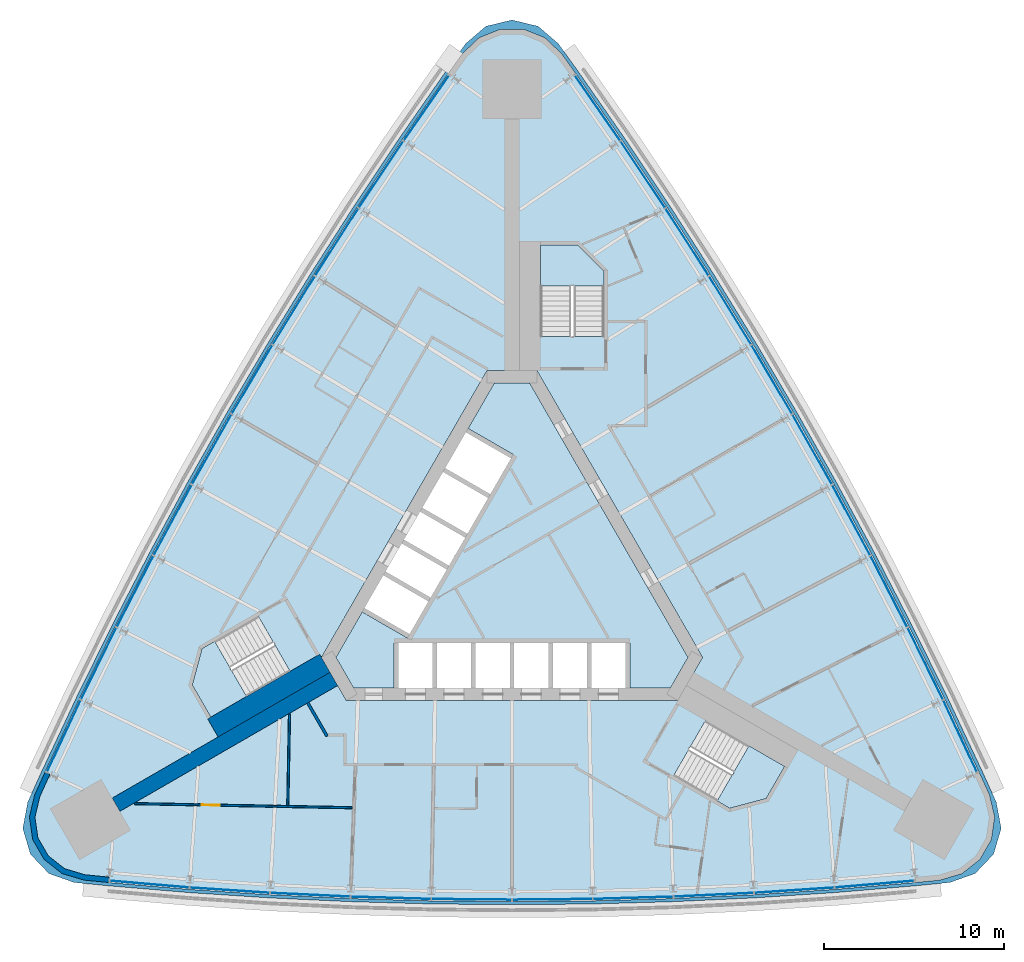
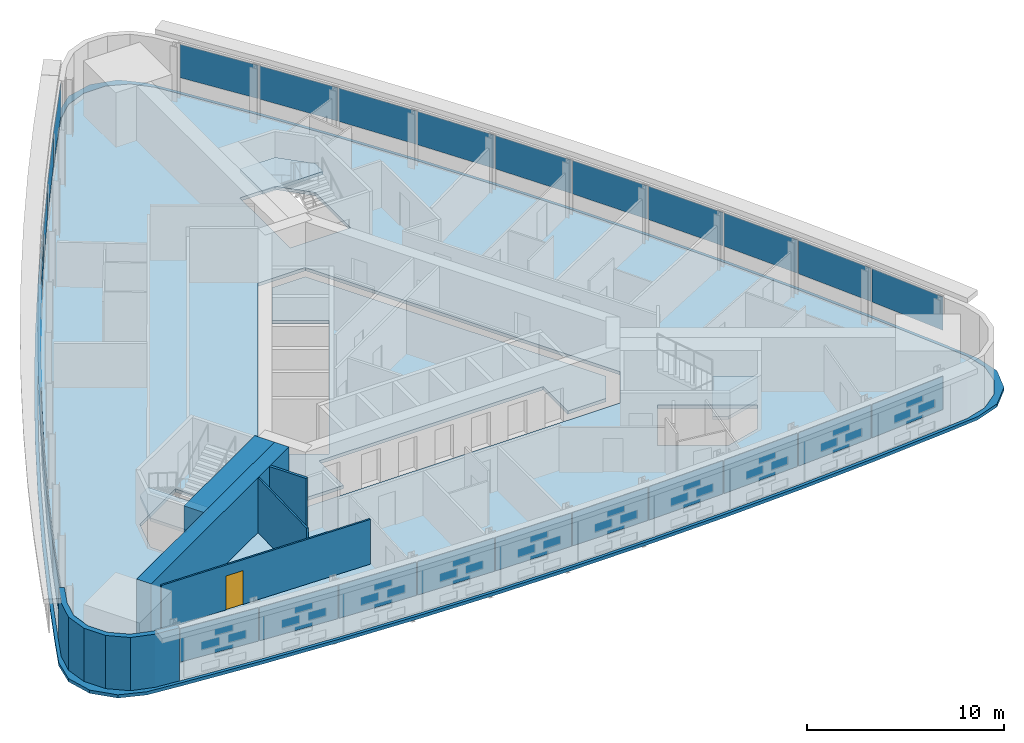
# One storey, part 9 of 15: 30 plates, 6 slabs, 6 walls, 1 door, 1 opening, 6 elements without a shape of their own.
"""IFC4 building model written with IfcOpenShell, lengths in metres."""

from ifc_helpers import new_model, si_unit, direction, frame, frame_2d, origin, origin_2d, place, context, subcontext, project, spatial, polyline, rectangle, outline, extrude, material, layer, layer_set, type_object, element, fill, aggregate, save


model = new_model("IFC4")

# Units and contexts
model_context = context("Model", 3, precision=1e-05, world=origin(), true_north=direction((0.0, 1.0)))
body_context = subcontext(model_context, "Body", "Model", "MODEL_VIEW")
ifc_project = project(units=[si_unit("LENGTHUNIT", "METRE"), si_unit("AREAUNIT", "SQUARE_METRE"), si_unit("VOLUMEUNIT", "CUBIC_METRE"), si_unit("PLANEANGLEUNIT", "RADIAN"), si_unit("MASSUNIT", "GRAM", prefix="KILO")], contexts=[model_context])

# Site, building, storey
site_placement = place(None, origin())
site = spatial("IfcSite", under=ifc_project, at=site_placement, CompositionType="ELEMENT")
building_placement = place(site_placement, origin())
building = spatial("IfcBuilding", under=site, at=building_placement, Name="Noor Cloister Tower", CompositionType="ELEMENT")
storey_placement = place(building_placement, frame((0.0, 0.0, 45.60009765625)))
storey = spatial("IfcBuildingStorey", under=building, at=storey_placement, Name="L11", CompositionType="ELEMENT", Elevation=45.60009765625)

# Slabs
ifc_material_1 = material(Name="Concrete C40/50", Category="concrete")
ifc_layer_1 = layer(ifc_material_1, 0.199951171875)
ifc_layer_set_1 = layer_set([ifc_layer_1], Name="Core floor slab 200 C40/50")
slab_type_1 = type_object("IfcSlabType", Name="Core floor slab 200 C40/50", PredefinedType="FLOOR", material=ifc_layer_set_1)
slab_1_placement = place(storey_placement, frame((0.0, 0.0, -0.2001953125)))
element("IfcSlab", 1, at=slab_1_placement, inside=storey, type_object=slab_type_1, Name="Core floor L11", PredefinedType="FLOOR", context=body_context, shape_type="SweptSolid", body=[
    extrude(outline(polyline([(-6.574951171875, -6.228271484375), (-6.574951171875, -3.728271484375), (6.574951171875, -3.728271484375), (6.574951171875, -6.228271484375), (8.82470703125, -6.228271484375), (9.80615234375, -4.5283203125), (0.9814453125, 10.75634765625), (-0.9814453125, 10.75634765625), (-2.44384765625, 8.2236328125), (0.067626953125, 6.773681640625), (-5.832275390625, -3.4453125), (-8.34375, -1.995361328125), (-9.80615234375, -4.5283203125), (-8.82470703125, -6.228271484375), (-6.574951171875, -6.228271484375)])), origin(), (0.0, 0.0, 1.0), 0.2001953125),
])
ifc_material_2 = material(Name="Concrete C40/50", Category="concrete")
ifc_layer_2 = layer(ifc_material_2, 0.199951171875)
ifc_layer_set_2 = layer_set([ifc_layer_2], Name="Floor slab 200 C40/50")
slab_type_2 = type_object("IfcSlabType", Name="Floor slab 200 C40/50", PredefinedType="FLOOR", material=ifc_layer_set_2)
slab_2_placement = place(storey_placement, frame((0.0, 0.0, -0.2001953125)))
element("IfcSlab", 2, at=slab_2_placement, inside=storey, type_object=slab_type_2, Name="Floor slab L11", PredefinedType="FLOOR", context=body_context, shape_type="SweptSolid", body=[
    extrude(outline(polyline([(2.743896484375, 29.1142578125), (1.819091796875, 29.98876953125), (0.636474609375, 30.45947265625), (-0.636474609375, 30.45947265625), (-1.819091796875, 29.98876953125), (-2.743896484375, 29.1142578125), (-3.548095703125, 27.990478515625), (-6.12109375, 24.298828125), (-8.6240234375, 20.55908203125), (-11.0556640625, 16.77294921875), (-13.415283203125, 12.941162109375), (-15.7021484375, 9.065673828125), (-17.9150390625, 5.1474609375), (-20.053466796875, 1.18798828125), (-22.11669921875, -2.81103515625), (-24.10400390625, -6.848388671875), (-26.014404296875, -10.922607421875), (-26.585693359375, -12.180908203125), (-26.880615234375, -13.419189453125), (-26.697021484375, -14.6787109375), (-26.060546875, -15.781005859375), (-25.0615234375, -16.56982421875), (-23.841796875, -16.933349609375), (-22.466552734375, -17.06787109375), (-17.98291015625, -17.450439453125), (-13.49267578125, -17.748291015625), (-8.997802734375, -17.9609375), (-4.499755859375, -18.088623046875), (0.0, -18.131103515625), (4.499755859375, -18.088623046875), (8.997802734375, -17.9609375), (13.49267578125, -17.748291015625), (17.98291015625, -17.450439453125), (22.466552734375, -17.06787109375), (23.841796875, -16.933349609375), (25.0615234375, -16.56982421875), (26.060546875, -15.781005859375), (26.697021484375, -14.6787109375), (26.880615234375, -13.419189453125), (26.585693359375, -12.180908203125), (26.014404296875, -10.922607421875), (24.10400390625, -6.848388671875), (22.11669921875, -2.81103515625), (20.053466796875, 1.18798828125), (17.9150390625, 5.1474609375), (15.7021484375, 9.065673828125), (13.415283203125, 12.941162109375), (11.0556640625, 16.77294921875), (8.6240234375, 20.55908203125), (6.12109375, 24.298828125), (3.548095703125, 27.990478515625), (2.743896484375, 29.1142578125)]), holes=[polyline([(8.999755859375, -11.126220703125), (12.131591796875, -12.934326171875), (14.1572265625, -12.3916015625), (15.19091796875, -10.601318359375), (10.774658203125, -8.0517578125), (8.999755859375, -11.126220703125)]), polyline([(-17.81005859375, -6.064697265625), (-16.776611328125, -7.85498046875), (-12.3603515625, -5.305419921875), (-14.13525390625, -2.23095703125), (-16.662841796875, -3.690185546875), (-17.267333984375, -4.039306640625), (-17.81005859375, -6.064697265625)]), polyline([(-10.6142578125, -4.5283203125), (-9.228759765625, -6.92822265625), (9.228759765625, -6.92822265625), (10.6142578125, -4.5283203125), (1.3857421875, 11.456298828125), (-1.3857421875, 11.456298828125), (-10.6142578125, -4.5283203125)]), polyline([(3.65283203125, 18.456298828125), (1.585693359375, 18.456298828125), (1.585693359375, 13.35693359375), (5.135498046875, 13.35693359375), (5.135498046875, 16.9736328125), (3.65283203125, 18.456298828125)])]), origin(), (0.0, 0.0, 1.0), 0.2001953125),
])

# Curtain wall, plates
ifc_material_3 = material(Name="Aluminium 6063-T6 anodised", Category="aluminium")
curtain_wall_type = type_object("IfcCurtainWallType", Name="Ribbon curtain wall, lower tower CW1", PredefinedType="NOTDEFINED", material=ifc_material_3)
curtain_wall_1_placement = place(storey_placement, origin())
curtain_wall_1 = element("IfcCurtainWall", 3, at=curtain_wall_1_placement, inside=storey, type_object=curtain_wall_type, Name="CW1 L11 NW run 1", PredefinedType="NOTDEFINED")
ifc_material_4 = material(Name="Clear laminated glass 2 x 8 mm", Category="glass")
ifc_layer_3 = layer(ifc_material_4, 0.028076171875)
ifc_layer_set_3 = layer_set([ifc_layer_3], Name="Glass panel CW1")
plate_type = type_object("IfcPlateType", Name="Glass panel CW1", PredefinedType="CURTAIN_PANEL", material=ifc_layer_set_3)
plate_1_placement = place(storey_placement, frame((-4.763671875, 26.071533203125, 1.08984375), z_axis=(0.0, 0.0, 1.0), x_axis=(-0.5718180864, -0.820380445931, 0.0)))
plate_1 = element("IfcPlate", 4, at=plate_1_placement, type_object=plate_type, Name="CW1 glass panel 1", PredefinedType="CURTAIN_PANEL", context=body_context, shape_type="SweptSolid", body=[
    extrude(rectangle(XDim=4.39892578125, YDim=0.028076171875, at=origin_2d()), origin(), (0.0, 0.0, 1.0), 2.070068359375),
])
plate_2_placement = place(storey_placement, frame((-7.28955078125, 22.373291015625, 1.08984375), z_axis=(0.0, 0.0, 1.0), x_axis=(-0.55619848233, -0.831049486044, 0.0)))
plate_2 = element("IfcPlate", 5, at=plate_2_placement, type_object=plate_type, Name="CW1 glass panel 2", PredefinedType="CURTAIN_PANEL", context=body_context, shape_type="SweptSolid", body=[
    extrude(rectangle(XDim=4.43798828125, YDim=0.028076171875, at=origin_2d()), origin(), (0.0, 0.0, 1.0), 2.070068359375),
])
plate_3_placement = place(storey_placement, frame((-9.755615234375, 18.612060546875, 1.08984375), z_axis=(0.0, 0.0, 1.0), x_axis=(-0.540379870194, -0.841421176278, 0.0)))
plate_3 = element("IfcPlate", 6, at=plate_3_placement, type_object=plate_type, Name="CW1 glass panel 3", PredefinedType="CURTAIN_PANEL", context=body_context, shape_type="SweptSolid", body=[
    extrude(rectangle(XDim=4.43798828125, YDim=0.028076171875, at=origin_2d()), origin(), (0.0, 0.0, 1.0), 2.070068359375),
])
plate_4_placement = place(storey_placement, frame((-12.150390625, 14.8046875, 1.08984375), z_axis=(0.0, 0.0, 1.0), x_axis=(-0.524367909897, -0.851491805639, 0.0)))
plate_4 = element("IfcPlate", 7, at=plate_4_placement, type_object=plate_type, Name="CW1 glass panel 4", PredefinedType="CURTAIN_PANEL", context=body_context, shape_type="SweptSolid", body=[
    extrude(rectangle(XDim=4.43798828125, YDim=0.028076171875, at=origin_2d()), origin(), (0.0, 0.0, 1.0), 2.070068359375),
])
plate_5_placement = place(storey_placement, frame((-14.47265625, 10.95263671875, 1.08984375), z_axis=(0.0, 0.0, 1.0), x_axis=(-0.508168330528, -0.86125777085, 0.0)))
plate_5 = element("IfcPlate", 8, at=plate_5_placement, type_object=plate_type, Name="CW1 glass panel 5", PredefinedType="CURTAIN_PANEL", context=body_context, shape_type="SweptSolid", body=[
    extrude(rectangle(XDim=4.43798828125, YDim=0.028076171875, at=origin_2d()), origin(), (0.0, 0.0, 1.0), 2.070068359375),
])
plate_6_placement = place(storey_placement, frame((-16.721435546875, 7.057373046875, 1.08984375), z_axis=(0.0, 0.0, 1.0), x_axis=(-0.491786943499, -0.87071556906, 0.0)))
plate_6 = element("IfcPlate", 9, at=plate_6_placement, type_object=plate_type, Name="CW1 glass panel 6", PredefinedType="CURTAIN_PANEL", context=body_context, shape_type="SweptSolid", body=[
    extrude(rectangle(XDim=4.43798828125, YDim=0.028076171875, at=origin_2d()), origin(), (0.0, 0.0, 1.0), 2.070068359375),
])
plate_7_placement = place(storey_placement, frame((-18.896240234375, 3.120361328125, 1.08984375), z_axis=(0.0, 0.0, 1.0), x_axis=(-0.475229579849, -0.87986183372, 0.0)))
plate_7 = element("IfcPlate", 10, at=plate_7_placement, type_object=plate_type, Name="CW1 glass panel 7", PredefinedType="CURTAIN_PANEL", context=body_context, shape_type="SweptSolid", body=[
    extrude(rectangle(XDim=4.43798828125, YDim=0.028076171875, at=origin_2d()), origin(), (0.0, 0.0, 1.0), 2.070068359375),
])
plate_8_placement = place(storey_placement, frame((-20.996337890625, -0.857177734375, 1.08984375), z_axis=(0.0, 0.0, 1.0), x_axis=(-0.458502178842, -0.888693283421, 0.0)))
plate_8 = element("IfcPlate", 11, at=plate_8_placement, type_object=plate_type, Name="CW1 glass panel 8", PredefinedType="CURTAIN_PANEL", context=body_context, shape_type="SweptSolid", body=[
    extrude(rectangle(XDim=4.43798828125, YDim=0.028076171875, at=origin_2d()), origin(), (0.0, 0.0, 1.0), 2.070068359375),
])
plate_9_placement = place(storey_placement, frame((-23.020751953125, -4.873779296875, 1.08984375), z_axis=(0.0, 0.0, 1.0), x_axis=(-0.441610725551, -0.897206758266, 0.0)))
plate_9 = element("IfcPlate", 12, at=plate_9_placement, type_object=plate_type, Name="CW1 glass panel 9", PredefinedType="CURTAIN_PANEL", context=body_context, shape_type="SweptSolid", body=[
    extrude(rectangle(XDim=4.43798828125, YDim=0.028076171875, at=origin_2d()), origin(), (0.0, 0.0, 1.0), 2.070068359375),
])
plate_10_placement = place(storey_placement, frame((-24.96044921875, -8.91015625, 1.08984375), z_axis=(0.0, 0.0, 1.0), x_axis=(-0.424561263744, -0.905399212131, 0.0)))
plate_10 = element("IfcPlate", 13, at=plate_10_placement, type_object=plate_type, Name="CW1 glass panel 10", PredefinedType="CURTAIN_PANEL", context=body_context, shape_type="SweptSolid", body=[
    extrude(rectangle(XDim=4.39892578125, YDim=0.028076171875, at=origin_2d()), origin(), (0.0, 0.0, 1.0), 2.070068359375),
])
aggregate(curtain_wall_1, [plate_1, plate_2, plate_3, plate_4, plate_5, plate_6, plate_7, plate_8, plate_9, plate_10])

curtain_wall_2_placement = place(storey_placement, origin())
curtain_wall_2 = element("IfcCurtainWall", 14, at=curtain_wall_2_placement, inside=storey, type_object=curtain_wall_type, Name="CW1 L11 S run 2", PredefinedType="NOTDEFINED")
plate_11_placement = place(storey_placement, frame((-20.19677734375, -17.161376953125, 1.08984375), z_axis=(0.0, 0.0, 1.0), x_axis=(0.996379350144, -0.085018766201, 0.0)))
plate_11 = element("IfcPlate", 15, at=plate_11_placement, type_object=plate_type, Name="CW1 glass panel 1", PredefinedType="CURTAIN_PANEL", context=body_context, shape_type="SweptSolid", body=[
    extrude(rectangle(XDim=4.39892578125, YDim=0.028076171875, at=origin_2d()), origin(), (0.0, 0.0, 1.0), 2.070068359375),
])
plate_12_placement = place(storey_placement, frame((-15.731201171875, -17.49951171875, 1.08984375), z_axis=(0.0, 0.0, 1.0), x_axis=(0.997809207881, -0.066157272222, 0.0)))
plate_12 = element("IfcPlate", 16, at=plate_12_placement, type_object=plate_type, Name="CW1 glass panel 2", PredefinedType="CURTAIN_PANEL", context=body_context, shape_type="SweptSolid", body=[
    extrude(rectangle(XDim=4.43798828125, YDim=0.028076171875, at=origin_2d()), origin(), (0.0, 0.0, 1.0), 2.070068359375),
])
plate_13_placement = place(storey_placement, frame((-11.240478515625, -17.754638671875, 1.08984375), z_axis=(0.0, 0.0, 1.0), x_axis=(0.998882049036, -0.047272107142, 0.0)))
plate_13 = element("IfcPlate", 17, at=plate_13_placement, type_object=plate_type, Name="CW1 glass panel 3", PredefinedType="CURTAIN_PANEL", context=body_context, shape_type="SweptSolid", body=[
    extrude(rectangle(XDim=4.43798828125, YDim=0.028076171875, at=origin_2d()), origin(), (0.0, 0.0, 1.0), 2.070068359375),
])
plate_14_placement = place(storey_placement, frame((-6.745849609375, -17.9248046875, 1.08984375), z_axis=(0.0, 0.0, 1.0), x_axis=(0.999597489746, -0.028370028081, 0.0)))
plate_14 = element("IfcPlate", 18, at=plate_14_placement, type_object=plate_type, Name="CW1 glass panel 4", PredefinedType="CURTAIN_PANEL", context=body_context, shape_type="SweptSolid", body=[
    extrude(rectangle(XDim=4.43798828125, YDim=0.028076171875, at=origin_2d()), origin(), (0.0, 0.0, 1.0), 2.070068359375),
])
plate_15_placement = place(storey_placement, frame((-2.2490234375, -18.010009765625, 1.08984375), z_axis=(0.0, 0.0, 1.0), x_axis=(0.999955274026, -0.009457798211, 0.0)))
plate_15 = element("IfcPlate", 19, at=plate_15_placement, type_object=plate_type, Name="CW1 glass panel 5", PredefinedType="CURTAIN_PANEL", context=body_context, shape_type="SweptSolid", body=[
    extrude(rectangle(XDim=4.43798828125, YDim=0.028076171875, at=origin_2d()), origin(), (0.0, 0.0, 1.0), 2.070068359375),
])
plate_16_placement = place(storey_placement, frame((2.2490234375, -18.010009765625, 1.08984375), z_axis=(0.0, 0.0, 1.0), x_axis=(0.999955274026, 0.009457798211, 0.0)))
plate_16 = element("IfcPlate", 20, at=plate_16_placement, type_object=plate_type, Name="CW1 glass panel 6", PredefinedType="CURTAIN_PANEL", context=body_context, shape_type="SweptSolid", body=[
    extrude(rectangle(XDim=4.43798828125, YDim=0.028076171875, at=origin_2d()), origin(), (0.0, 0.0, 1.0), 2.070068359375),
])
plate_17_placement = place(storey_placement, frame((6.745849609375, -17.9248046875, 1.08984375), z_axis=(0.0, 0.0, 1.0), x_axis=(0.999597489746, 0.028370028081, 0.0)))
plate_17 = element("IfcPlate", 21, at=plate_17_placement, type_object=plate_type, Name="CW1 glass panel 7", PredefinedType="CURTAIN_PANEL", context=body_context, shape_type="SweptSolid", body=[
    extrude(rectangle(XDim=4.43798828125, YDim=0.028076171875, at=origin_2d()), origin(), (0.0, 0.0, 1.0), 2.070068359375),
])
plate_18_placement = place(storey_placement, frame((11.240478515625, -17.754638671875, 1.08984375), z_axis=(0.0, 0.0, 1.0), x_axis=(0.998882049036, 0.047272107142, 0.0)))
plate_18 = element("IfcPlate", 22, at=plate_18_placement, type_object=plate_type, Name="CW1 glass panel 8", PredefinedType="CURTAIN_PANEL", context=body_context, shape_type="SweptSolid", body=[
    extrude(rectangle(XDim=4.43798828125, YDim=0.028076171875, at=origin_2d()), origin(), (0.0, 0.0, 1.0), 2.070068359375),
])
plate_19_placement = place(storey_placement, frame((15.731201171875, -17.49951171875, 1.08984375), z_axis=(0.0, 0.0, 1.0), x_axis=(0.997809207881, 0.066157272222, 0.0)))
plate_19 = element("IfcPlate", 23, at=plate_19_placement, type_object=plate_type, Name="CW1 glass panel 9", PredefinedType="CURTAIN_PANEL", context=body_context, shape_type="SweptSolid", body=[
    extrude(rectangle(XDim=4.43798828125, YDim=0.028076171875, at=origin_2d()), origin(), (0.0, 0.0, 1.0), 2.070068359375),
])
plate_20_placement = place(storey_placement, frame((20.19677734375, -17.161376953125, 1.08984375), z_axis=(0.0, 0.0, 1.0), x_axis=(0.996379350144, 0.085018766201, 0.0)))
plate_20 = element("IfcPlate", 24, at=plate_20_placement, type_object=plate_type, Name="CW1 glass panel 10", PredefinedType="CURTAIN_PANEL", context=body_context, shape_type="SweptSolid", body=[
    extrude(rectangle(XDim=4.39892578125, YDim=0.028076171875, at=origin_2d()), origin(), (0.0, 0.0, 1.0), 2.070068359375),
])
aggregate(curtain_wall_2, [plate_11, plate_12, plate_13, plate_14, plate_15, plate_16, plate_17, plate_18, plate_19, plate_20])

curtain_wall_3_placement = place(storey_placement, origin())
curtain_wall_3 = element("IfcCurtainWall", 25, at=curtain_wall_3_placement, inside=storey, type_object=curtain_wall_type, Name="CW1 L11 NE run 3", PredefinedType="NOTDEFINED")
plate_21_placement = place(storey_placement, frame((24.96044921875, -8.91015625, 1.08984375), z_axis=(0.0, 0.0, 1.0), x_axis=(-0.424561263744, 0.905399212131, 0.0)))
plate_21 = element("IfcPlate", 26, at=plate_21_placement, type_object=plate_type, Name="CW1 glass panel 1", PredefinedType="CURTAIN_PANEL", context=body_context, shape_type="SweptSolid", body=[
    extrude(rectangle(XDim=4.39892578125, YDim=0.028076171875, at=origin_2d()), origin(), (0.0, 0.0, 1.0), 2.070068359375),
])
plate_22_placement = place(storey_placement, frame((23.020751953125, -4.873779296875, 1.08984375), z_axis=(0.0, 0.0, 1.0), x_axis=(-0.441610725551, 0.897206758266, 0.0)))
plate_22 = element("IfcPlate", 27, at=plate_22_placement, type_object=plate_type, Name="CW1 glass panel 2", PredefinedType="CURTAIN_PANEL", context=body_context, shape_type="SweptSolid", body=[
    extrude(rectangle(XDim=4.43798828125, YDim=0.028076171875, at=origin_2d()), origin(), (0.0, 0.0, 1.0), 2.070068359375),
])
plate_23_placement = place(storey_placement, frame((20.996337890625, -0.857177734375, 1.08984375), z_axis=(0.0, 0.0, 1.0), x_axis=(-0.458502178842, 0.888693283421, 0.0)))
plate_23 = element("IfcPlate", 28, at=plate_23_placement, type_object=plate_type, Name="CW1 glass panel 3", PredefinedType="CURTAIN_PANEL", context=body_context, shape_type="SweptSolid", body=[
    extrude(rectangle(XDim=4.43798828125, YDim=0.028076171875, at=origin_2d()), origin(), (0.0, 0.0, 1.0), 2.070068359375),
])
plate_24_placement = place(storey_placement, frame((18.896240234375, 3.120361328125, 1.08984375), z_axis=(0.0, 0.0, 1.0), x_axis=(-0.475229579849, 0.87986183372, 0.0)))
plate_24 = element("IfcPlate", 29, at=plate_24_placement, type_object=plate_type, Name="CW1 glass panel 4", PredefinedType="CURTAIN_PANEL", context=body_context, shape_type="SweptSolid", body=[
    extrude(rectangle(XDim=4.43798828125, YDim=0.028076171875, at=origin_2d()), origin(), (0.0, 0.0, 1.0), 2.070068359375),
])
plate_25_placement = place(storey_placement, frame((16.721435546875, 7.057373046875, 1.08984375), z_axis=(0.0, 0.0, 1.0), x_axis=(-0.491786943499, 0.87071556906, 0.0)))
plate_25 = element("IfcPlate", 30, at=plate_25_placement, type_object=plate_type, Name="CW1 glass panel 5", PredefinedType="CURTAIN_PANEL", context=body_context, shape_type="SweptSolid", body=[
    extrude(rectangle(XDim=4.43798828125, YDim=0.028076171875, at=origin_2d()), origin(), (0.0, 0.0, 1.0), 2.070068359375),
])
plate_26_placement = place(storey_placement, frame((14.47265625, 10.95263671875, 1.08984375), z_axis=(0.0, 0.0, 1.0), x_axis=(-0.508168330528, 0.86125777085, 0.0)))
plate_26 = element("IfcPlate", 31, at=plate_26_placement, type_object=plate_type, Name="CW1 glass panel 6", PredefinedType="CURTAIN_PANEL", context=body_context, shape_type="SweptSolid", body=[
    extrude(rectangle(XDim=4.43798828125, YDim=0.028076171875, at=origin_2d()), origin(), (0.0, 0.0, 1.0), 2.070068359375),
])
plate_27_placement = place(storey_placement, frame((12.150390625, 14.8046875, 1.08984375), z_axis=(0.0, 0.0, 1.0), x_axis=(-0.524367909897, 0.851491805639, 0.0)))
plate_27 = element("IfcPlate", 32, at=plate_27_placement, type_object=plate_type, Name="CW1 glass panel 7", PredefinedType="CURTAIN_PANEL", context=body_context, shape_type="SweptSolid", body=[
    extrude(rectangle(XDim=4.43798828125, YDim=0.028076171875, at=origin_2d()), origin(), (0.0, 0.0, 1.0), 2.070068359375),
])
plate_28_placement = place(storey_placement, frame((9.755615234375, 18.612060546875, 1.08984375), z_axis=(0.0, 0.0, 1.0), x_axis=(-0.540379870194, 0.841421176278, 0.0)))
plate_28 = element("IfcPlate", 33, at=plate_28_placement, type_object=plate_type, Name="CW1 glass panel 8", PredefinedType="CURTAIN_PANEL", context=body_context, shape_type="SweptSolid", body=[
    extrude(rectangle(XDim=4.43798828125, YDim=0.028076171875, at=origin_2d()), origin(), (0.0, 0.0, 1.0), 2.070068359375),
])
plate_29_placement = place(storey_placement, frame((7.28955078125, 22.373291015625, 1.08984375), z_axis=(0.0, 0.0, 1.0), x_axis=(-0.55619848233, 0.831049486044, 0.0)))
plate_29 = element("IfcPlate", 34, at=plate_29_placement, type_object=plate_type, Name="CW1 glass panel 9", PredefinedType="CURTAIN_PANEL", context=body_context, shape_type="SweptSolid", body=[
    extrude(rectangle(XDim=4.43798828125, YDim=0.028076171875, at=origin_2d()), origin(), (0.0, 0.0, 1.0), 2.070068359375),
])
plate_30_placement = place(storey_placement, frame((4.763671875, 26.071533203125, 1.08984375), z_axis=(0.0, 0.0, 1.0), x_axis=(-0.5718180864, 0.820380445931, 0.0)))
plate_30 = element("IfcPlate", 35, at=plate_30_placement, type_object=plate_type, Name="CW1 glass panel 10", PredefinedType="CURTAIN_PANEL", context=body_context, shape_type="SweptSolid", body=[
    extrude(rectangle(XDim=4.39892578125, YDim=0.028076171875, at=origin_2d()), origin(), (0.0, 0.0, 1.0), 2.070068359375),
])
aggregate(curtain_wall_3, [plate_21, plate_22, plate_23, plate_24, plate_25, plate_26, plate_27, plate_28, plate_29, plate_30])

# Slab
ifc_material_5 = material(Name="Concrete C40/50", Category="concrete")
ifc_layer_4 = layer(ifc_material_5, 0.199951171875)
ifc_layer_set_4 = layer_set([ifc_layer_4], Name="Ledge roof 200 C40/50")
slab_type_3 = type_object("IfcSlabType", Name="Ledge roof 200 C40/50", PredefinedType="ROOF", material=ifc_layer_set_4)
slab_3_placement = place(storey_placement, frame((0.0, 0.0, -0.2001953125)))
element("IfcSlab", 36, at=slab_3_placement, inside=storey, type_object=slab_type_3, Name="Ledge roof L11", PredefinedType="ROOF", context=body_context, shape_type="SweptSolid", body=[
    extrude(outline(polyline([(3.708984375, 28.084228515625), (2.58642578125, 29.65234375), (1.45263671875, 30.625244140625), (0.0, 30.975341796875), (-1.45263671875, 30.625244140625), (-2.58642578125, 29.65234375), (-3.708984375, 28.084228515625), (-6.279052734375, 24.390380859375), (-8.779296875, 20.64892578125), (-11.209228515625, 16.861572265625), (-13.56787109375, 13.029296875), (-15.854248046875, 9.1533203125), (-18.067626953125, 5.2353515625), (-20.207275390625, 1.27685546875), (-22.272216796875, -2.721435546875), (-24.26220703125, -6.75732421875), (-26.176025390625, -10.830078125), (-26.972900390625, -12.586181640625), (-27.24853515625, -14.0546875), (-26.825439453125, -15.487548828125), (-25.7958984375, -16.570556640625), (-24.386474609375, -17.066162109375), (-22.467041015625, -17.254150390625), (-17.983154296875, -17.633056640625), (-13.492919921875, -17.927734375), (-8.997802734375, -18.13818359375), (-4.499755859375, -18.2646484375), (0.0, -18.306884765625), (4.499755859375, -18.2646484375), (8.997802734375, -18.13818359375), (13.492919921875, -17.927734375), (17.983154296875, -17.633056640625), (22.467041015625, -17.254150390625), (24.386474609375, -17.066162109375), (25.7958984375, -16.570556640625), (26.825439453125, -15.487548828125), (27.24853515625, -14.0546875), (26.972900390625, -12.586181640625), (26.176025390625, -10.830078125), (24.26220703125, -6.75732421875), (22.272216796875, -2.721435546875), (20.207275390625, 1.27685546875), (18.067626953125, 5.2353515625), (15.854248046875, 9.1533203125), (13.56787109375, 13.029296875), (11.209228515625, 16.861572265625), (8.779296875, 20.64892578125), (6.279052734375, 24.390380859375), (3.708984375, 28.084228515625)]), holes=[polyline([(0.636474609375, 30.45947265625), (-0.636474609375, 30.45947265625), (-1.819091796875, 29.98876953125), (-2.743896484375, 29.1142578125), (-3.548095703125, 27.990478515625), (-6.12109375, 24.298828125), (-8.6240234375, 20.55908203125), (-11.0556640625, 16.77294921875), (-13.415283203125, 12.941162109375), (-15.7021484375, 9.065673828125), (-17.9150390625, 5.1474609375), (-20.053466796875, 1.18798828125), (-22.11669921875, -2.81103515625), (-24.10400390625, -6.848388671875), (-26.014404296875, -10.922607421875), (-26.585693359375, -12.180908203125), (-26.880615234375, -13.419189453125), (-26.697021484375, -14.6787109375), (-26.060546875, -15.781005859375), (-25.0615234375, -16.56982421875), (-23.841796875, -16.933349609375), (-22.466552734375, -17.06787109375), (-17.98291015625, -17.450439453125), (-13.49267578125, -17.748291015625), (-8.997802734375, -17.9609375), (-4.499755859375, -18.088623046875), (0.0, -18.131103515625), (4.499755859375, -18.088623046875), (8.997802734375, -17.9609375), (13.49267578125, -17.748291015625), (17.98291015625, -17.450439453125), (22.466552734375, -17.06787109375), (23.841796875, -16.933349609375), (25.0615234375, -16.56982421875), (26.060546875, -15.781005859375), (26.697021484375, -14.6787109375), (26.880615234375, -13.419189453125), (26.585693359375, -12.180908203125), (26.014404296875, -10.922607421875), (24.10400390625, -6.848388671875), (22.11669921875, -2.81103515625), (20.053466796875, 1.18798828125), (17.9150390625, 5.1474609375), (15.7021484375, 9.065673828125), (13.415283203125, 12.941162109375), (11.0556640625, 16.77294921875), (8.6240234375, 20.55908203125), (6.12109375, 24.298828125), (3.548095703125, 27.990478515625), (2.743896484375, 29.1142578125), (1.819091796875, 29.98876953125), (0.636474609375, 30.45947265625)])]), origin(), (0.0, 0.0, 1.0), 0.2001953125),
])

# Stair, slab
ifc_material_6 = material(Name="Concrete C40/50", Category="concrete")
stair_type = type_object("IfcStairType", Name="Exit stair 22 risers", PredefinedType="HALF_TURN_STAIR", material=ifc_material_6)
stair_1_placement = place(storey_placement, origin())
stair_1 = element("IfcStair", 37, at=stair_1_placement, inside=storey, type_object=stair_type, Name="Exit stair ST1 L11", PredefinedType="HALF_TURN_STAIR")
ifc_material_7 = material(Name="Concrete C40/50", Category="concrete")
ifc_layer_5 = layer(ifc_material_7, 0.199951171875)
ifc_layer_set_5 = layer_set([ifc_layer_5], Name="Stair landing 200 C40/50")
slab_type_4 = type_object("IfcSlabType", Name="Stair landing 200 C40/50", PredefinedType="LANDING", material=ifc_layer_set_5)
slab_4_placement = place(storey_placement, frame((0.0, 0.0, 1.599853515625)))
slab_4 = element("IfcSlab", 38, at=slab_4_placement, type_object=slab_type_4, Name="ST1 landing 1", PredefinedType="LANDING", context=body_context, shape_type="SweptSolid", body=[
    extrude(outline(polyline([(5.135498046875, 16.15576171875), (5.135498046875, 16.9736328125), (3.65283203125, 18.456298828125), (1.585693359375, 18.456298828125), (1.585693359375, 16.15576171875), (5.135498046875, 16.15576171875)])), origin(), (0.0, 0.0, 1.0), 0.199951171875),
])
aggregate(stair_1, [slab_4])

stair_2_placement = place(storey_placement, origin())
stair_2 = element("IfcStair", 39, at=stair_2_placement, inside=storey, type_object=stair_type, Name="Exit stair ST2 L11", PredefinedType="HALF_TURN_STAIR")
slab_5_placement = place(storey_placement, frame((0.0, 0.0, 1.599853515625)))
slab_5 = element("IfcSlab", 40, at=slab_5_placement, type_object=slab_type_4, Name="ST2 landing 1", PredefinedType="LANDING", context=body_context, shape_type="SweptSolid", body=[
    extrude(outline(polyline([(-16.55908203125, -3.63037109375), (-17.267333984375, -4.039306640625), (-17.81005859375, -6.064697265625), (-16.776611328125, -7.85498046875), (-14.7841796875, -6.70458984375), (-16.55908203125, -3.63037109375)])), origin(), (0.0, 0.0, 1.0), 0.199951171875),
])
aggregate(stair_2, [slab_5])

stair_3_placement = place(storey_placement, origin())
stair_3 = element("IfcStair", 41, at=stair_3_placement, inside=storey, type_object=stair_type, Name="Exit stair ST3 L11", PredefinedType="HALF_TURN_STAIR")
slab_6_placement = place(storey_placement, frame((0.0, 0.0, 1.599853515625)))
slab_6 = element("IfcSlab", 42, at=slab_6_placement, type_object=slab_type_4, Name="ST3 landing 1", PredefinedType="LANDING", context=body_context, shape_type="SweptSolid", body=[
    extrude(outline(polyline([(11.423583984375, -12.525390625), (12.131591796875, -12.934326171875), (14.1572265625, -12.3916015625), (15.19091796875, -10.601318359375), (13.198486328125, -9.451171875), (11.423583984375, -12.525390625)])), origin(), (0.0, 0.0, 1.0), 0.199951171875),
])
aggregate(stair_3, [slab_6])

# Walls
ifc_material_8 = material(Name="Concrete C80/95", Category="concrete")
ifc_layer_6 = layer(ifc_material_8, 0.85009765625)
ifc_layer_set_6 = layer_set([ifc_layer_6], Name="Buttress wall 850 C80/95")
wall_type_1 = type_object("IfcWallType", Name="Buttress wall 850 C80/95", PredefinedType="SHEAR", material=ifc_layer_set_6)
wall_1_placement = place(storey_placement, frame((-9.921630859375, -5.728271484375, -0.2001953125), z_axis=(0.0, 0.0, 1.0), x_axis=(-0.866021666006, -0.500006473966, 0.0)))
element("IfcWall", 43, at=wall_1_placement, inside=storey, type_object=wall_type_1, Name="Buttress wall SW L11", PredefinedType="SHEAR", context=body_context, shape_type="SweptSolid", body=[
    extrude(rectangle(XDim=14.013427734375, YDim=0.85009765625, at=frame_2d((7.0068359375, 0.0))), origin(), (0.0, 0.0, 1.0), 3.60009765625),
])
ifc_material_9 = material(Name="Gypsum board partition on steel studs, 150 mm", Category="steel")
ifc_layer_7 = layer(ifc_material_9, 0.14990234375)
ifc_layer_set_7 = layer_set([ifc_layer_7], Name="Flat wall 150")
wall_type_2 = type_object("IfcWallType", Name="Flat wall 150", PredefinedType="PARTITIONING", material=ifc_layer_set_7)
wall_2_placement = place(storey_placement, frame((-11.376220703125, -7.058837890625, 0.0), z_axis=(0.0, 0.0, 1.0), x_axis=(0.500076779081, -0.865981070823, 0.0)))
element("IfcWall", 44, at=wall_2_placement, inside=storey, type_object=wall_type_2, Name="Flat wall 150 L11 012", PredefinedType="PARTITIONING", context=body_context, shape_type="SweptSolid", body=[
    extrude(rectangle(XDim=2.147216796875, YDim=0.14990234375, at=frame_2d((1.07373046875, 0.0))), origin(), (0.0, 0.0, 1.0), 3.39990234375),
])
ifc_material_10 = material(Name="Limestone", Category="masonry")
ifc_layer_8 = layer(ifc_material_10, 0.300048828125)
ifc_layer_set_8 = layer_set([ifc_layer_8], Name="Limestone cladding 300")
wall_type_3 = type_object("IfcWallType", Name="Limestone cladding 300", PredefinedType="NOTDEFINED", material=ifc_layer_set_8)
wall_3_placement = place(storey_placement, origin())
element("IfcWall", 45, at=wall_3_placement, inside=storey, type_object=wall_type_3, Name="Limestone pier cladding L11 1.1", PredefinedType="NOTDEFINED", context=body_context, shape_type="SweptSolid", body=[
    extrude(outline(polyline([(-26.014404296875, -10.922607421875), (-26.585693359375, -12.180908203125), (-26.880615234375, -13.419189453125), (-26.697021484375, -14.6787109375), (-26.060546875, -15.781005859375), (-25.0615234375, -16.56982421875), (-23.841796875, -16.933349609375), (-22.466552734375, -17.06787109375), (-22.437255859375, -16.769287109375), (-23.783935546875, -16.6376953125), (-24.9208984375, -16.298828125), (-25.829345703125, -15.5810546875), (-26.408447265625, -14.578369140625), (-26.575439453125, -13.4326171875), (-26.300537109375, -12.278564453125), (-25.741455078125, -11.046630859375), (-26.014404296875, -10.922607421875)])), origin(), (0.0, 0.0, 1.0), 3.2998046875),
])

# Wall, opening, door
ifc_material_11 = material(Name="Gypsum board partition on steel studs, 100 mm", Category="steel")
ifc_layer_9 = layer(ifc_material_11, 0.10009765625)
ifc_layer_set_9 = layer_set([ifc_layer_9], Name="Partition 100")
wall_type_4 = type_object("IfcWallType", Name="Partition 100", PredefinedType="PARTITIONING", material=ifc_layer_set_9)
wall_4_placement = place(storey_placement, frame((-21.01708984375, -12.674560546875, 0.0), z_axis=(0.0, 0.0, 1.0), x_axis=(0.999821316728, -0.018903296414, 0.0)))
wall_4 = element("IfcWall", 46, at=wall_4_placement, inside=storey, type_object=wall_type_4, Name="Partition 100 L11 023", PredefinedType="PARTITIONING", context=body_context, shape_type="SweptSolid", body=[
    extrude(rectangle(XDim=12.12744140625, YDim=0.10009765625, at=frame_2d((6.063720703125, 0.0))), origin(), (0.0, 0.0, 1.0), 2.77783203125),
])
opening_placement = place(wall_4_placement, frame((3.73876953125, 0.0, 0.0)))
opening = element("IfcOpeningElement", 47, at=opening_placement, cuts=wall_4, Name="Opening L11-014", PredefinedType="OPENING", context=body_context, shape_type="SweptSolid", body=[
    extrude(rectangle(XDim=1.0, YDim=2.10009765625, at=frame_2d((0.5, 1.050048828125))), frame((0.0, 0.06005859375, 0.0), z_axis=(0.0, -1.0, 0.0), x_axis=(1.0, 0.0, 0.0)), (0.0, 0.0, 1.0), 0.1201171875),
])
ifc_material_12 = material(Name="Timber door leaf with steel frame", Category="steel")
door_type = type_object("IfcDoorType", Name="Interior door 1000", OperationType="NOTDEFINED", PredefinedType="DOOR", material=ifc_material_12)
door_placement = place(opening_placement, origin())
door = element("IfcDoor", 48, at=door_placement, inside=storey, type_object=door_type, Name="Interior door 1000 L11-014", OperationType="SINGLE_SWING_LEFT", OverallHeight=2.10009765625, OverallWidth=1.0, PredefinedType="DOOR", context=body_context, shape_type="SweptSolid", body=[
    extrude(rectangle(XDim=1.0, YDim=2.10009765625, at=frame_2d((0.5, 1.050048828125))), frame((0.0, 0.02490234375, 0.0), z_axis=(0.0, -1.0, 0.0), x_axis=(1.0, 0.0, 0.0)), (0.0, 0.0, 1.0), 0.050048828125),
])
fill(opening, door)

# Walls
wall_5_placement = place(storey_placement, frame((-12.490234375, -12.785888671875, 0.0), z_axis=(0.0, 0.0, 1.0), x_axis=(0.018916824658, 0.999821060863, 0.0)))
element("IfcWall", 49, at=wall_5_placement, inside=storey, type_object=wall_type_4, Name="Partition 100 L11 029", PredefinedType="PARTITIONING", context=body_context, shape_type="SweptSolid", body=[
    extrude(rectangle(XDim=5.11083984375, YDim=0.10009765625, at=frame_2d((2.555419921875, 0.0))), origin(), (0.0, 0.0, 1.0), 3.39990234375),
])
ifc_material_13 = material(Name="Concrete C80/95", Category="concrete")
ifc_layer_10 = layer(ifc_material_13, 1.160888671875)
ifc_layer_set_10 = layer_set([ifc_layer_10], Name="Stair enclosure wall 1161 C80/95")
wall_type_5 = type_object("IfcWallType", Name="Stair enclosure wall 1161 C80/95", PredefinedType="SHEAR", material=ifc_layer_set_10)
wall_6_placement = place(storey_placement, frame((-10.42431640625, -4.857666015625, -0.2001953125), z_axis=(0.0, 0.0, 1.0), x_axis=(-0.866033125095, -0.499986626058, 0.0)))
element("IfcWall", 50, at=wall_6_placement, inside=storey, type_object=wall_type_5, Name="Stair enclosure wall ST2 L11 riser side", PredefinedType="SHEAR", context=body_context, shape_type="SweptSolid", body=[
    extrude(rectangle(XDim=7.199951171875, YDim=1.16064453125, at=frame_2d((3.60009765625, 0.0))), origin(), (0.0, 0.0, 1.0), 3.60009765625),
])

save(model, "model.ifc")
